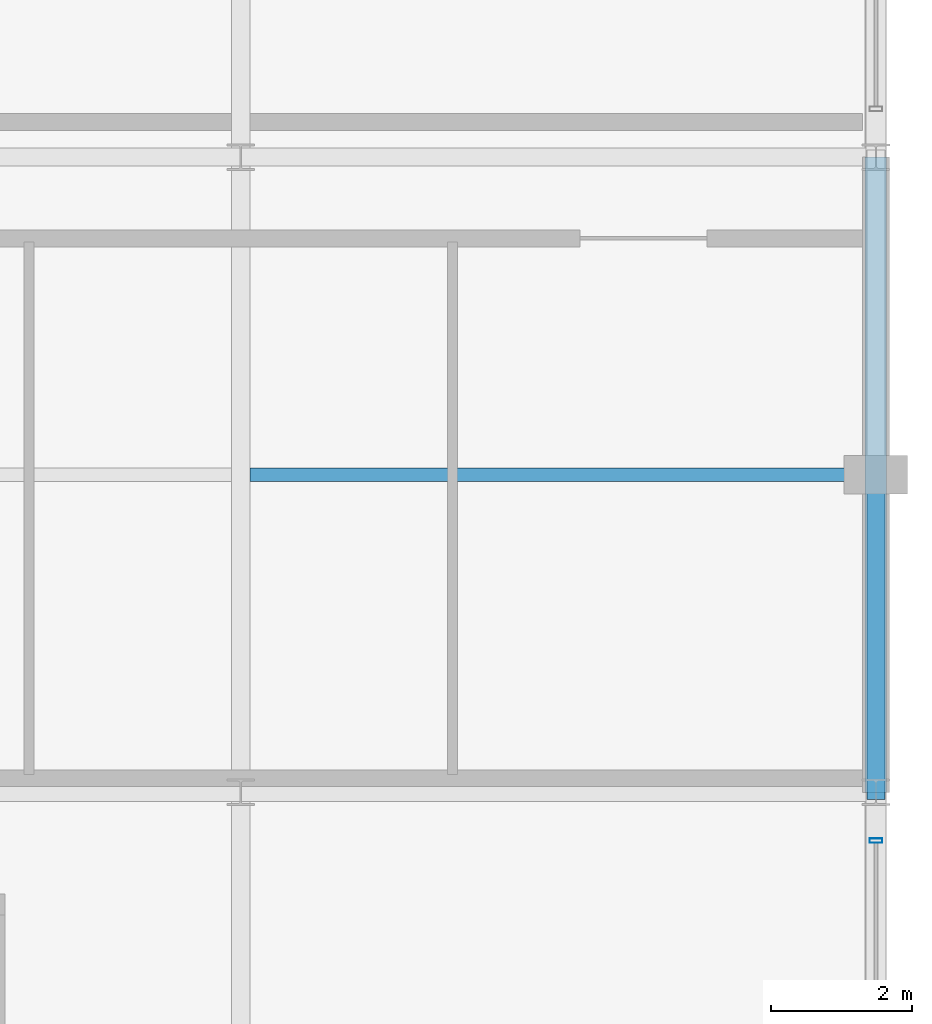
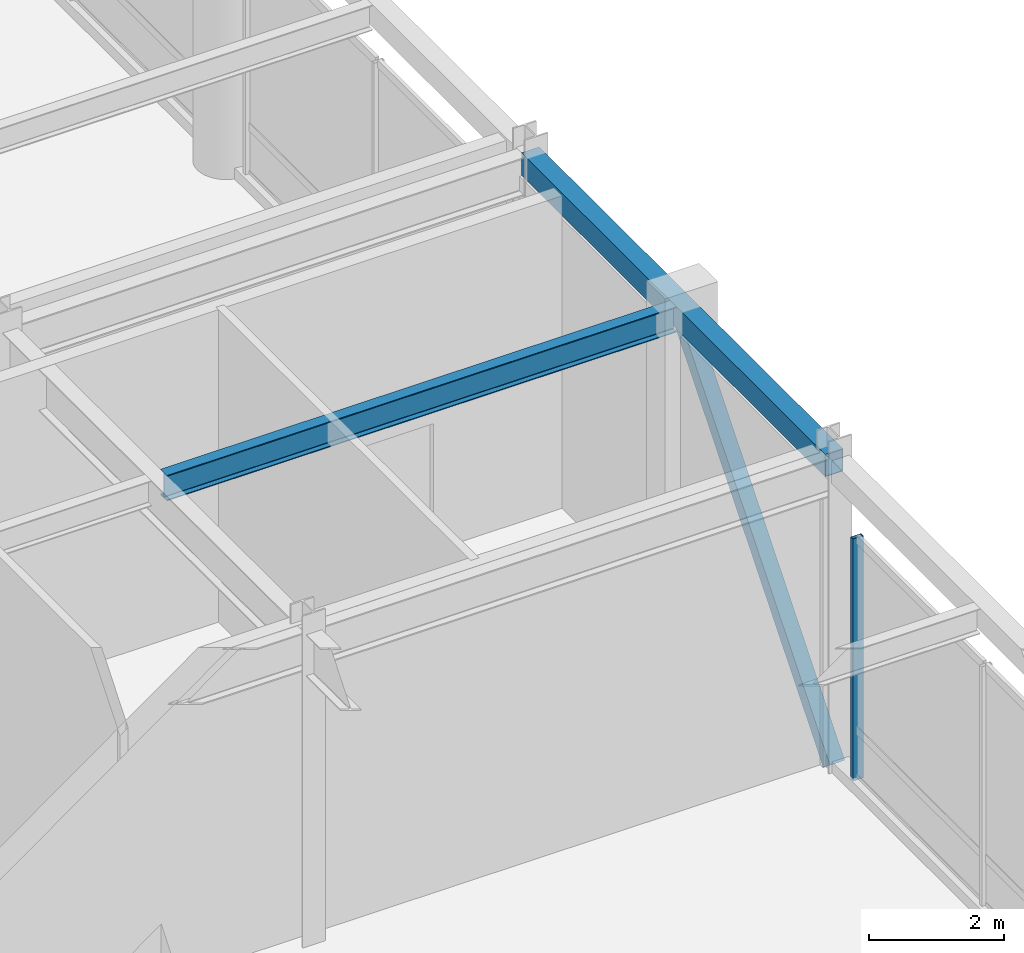
# One storey, part 54 of 108: 2 beams, 2 members, 1 element without a shape of its own.
"""IFC4 building model written with IfcOpenShell, lengths in metres."""

from ifc_helpers import new_model, si_unit, direction, frame, origin, origin_2d, place, context, subcontext, project, spatial, hollow_rectangle, i_section, extrude, material, material_profile, profile_set, type_object, element, aggregate, save


model = new_model("IFC4")

# Units and contexts
model_context = context("Model", 3, precision=1e-05, world=origin(), true_north=direction((0.0, 1.0)))
body_context = subcontext(model_context, "Body", "Model", "MODEL_VIEW")
ifc_project = project(units=[si_unit("LENGTHUNIT", "METRE"), si_unit("AREAUNIT", "SQUARE_METRE"), si_unit("VOLUMEUNIT", "CUBIC_METRE"), si_unit("PLANEANGLEUNIT", "RADIAN"), si_unit("MASSUNIT", "GRAM", prefix="KILO")], contexts=[model_context])

# Site, building, storey
site_placement = place(None, origin())
site = spatial("IfcSite", under=ifc_project, at=site_placement, CompositionType="ELEMENT")
building_placement = place(site_placement, origin())
building = spatial("IfcBuilding", under=site, at=building_placement, Name="Kaldorvane Square Convention Centre", CompositionType="ELEMENT")
storey_placement = place(building_placement, frame((0.0, 0.0, 12.0)))
storey = spatial("IfcBuildingStorey", under=building, at=storey_placement, Name="L02", CompositionType="ELEMENT", Elevation=12.0)

# Beams
ifc_material_1 = material(Name="Steel ASTM A992 Gr. 50", Category="steel")
ifc_material_profile_1 = material_profile(ifc_material_1, i_section(OverallWidth=0.1912994384765625, OverallDepth=0.4600067138671875, WebThickness=0.0099029541015625, FlangeThickness=0.0160064697265625, FilletRadius=0.01019287109375, at=origin_2d()), Name="W18X55")
ifc_profile_set_1 = profile_set([ifc_material_profile_1], Name="Steel ASTM A992 Gr. 50")
beam_type_1 = type_object("IfcBeamType", Name="BM-JS-W18X55", PredefinedType="JOIST", material=ifc_profile_set_1)
beam_1_placement = place(storey_placement, frame((165.13330078125, 13.5, 5.4160003662109375), z_axis=(1.0, 0.0, 0.0), x_axis=(0.0, 1.0, 0.0)))
element("IfcBeam", 1, at=beam_1_placement, inside=storey, type_object=beam_type_1, Name="Secondary Floor Joist (L02)", PredefinedType="JOIST", context=body_context, shape_type="SweptSolid", body=[
    extrude(i_section(OverallWidth=0.1912994384765625, OverallDepth=0.4600067138671875, WebThickness=0.0099029541015625, FlangeThickness=0.0160064697265625, FilletRadius=0.01019287109375, at=origin_2d()), origin(), (0.0, 0.0, 1.0), 8.71429443359375),
])
ifc_material_2 = material(Name="Steel ASTM A500 Gr. C", Category="steel")
ifc_material_profile_2 = material_profile(ifc_material_2, hollow_rectangle(XDim=0.3047943115234375, YDim=0.406402587890625, WallThickness=0.0117950439453125, at=origin_2d()), Name="HSS16X12X1/2")
ifc_profile_set_2 = profile_set([ifc_material_profile_2], Name="Steel ASTM A500 Gr. C")
beam_type_2 = type_object("IfcBeamType", Name="BM-SP-HSS16", PredefinedType="SPANDREL", material=ifc_profile_set_2)
beam_2_placement = place(storey_placement, frame((174.0, 9.0, 5.4427947998046875), z_axis=(0.0, 1.0, 0.0), x_axis=(-1.0, 0.0, 0.0)))
element("IfcBeam", 2, at=beam_2_placement, inside=storey, type_object=beam_type_2, Name="End Spandrel (L02)", PredefinedType="SPANDREL", context=body_context, shape_type="SweptSolid", body=[
    extrude(hollow_rectangle(XDim=0.3047943115234375, YDim=0.406402587890625, WallThickness=0.0117950439453125, at=origin_2d()), origin(), (0.0, 0.0, 1.0), 9.0),
])

# Curtain wall, member
ifc_material_3 = material(Name="Anodized Aluminum and Low-E Insulated Glazing", Category="aluminium")
curtain_wall_type = type_object("IfcCurtainWallType", Name="CW-UNI-P60-09", PredefinedType="USERDEFINED", material=ifc_material_3)
curtain_wall_placement = place(storey_placement, origin())
curtain_wall = element("IfcCurtainWall", 3, at=curtain_wall_placement, inside=storey, type_object=curtain_wall_type, Name="Curtain Wall CW-02 (L02)", ObjectType="UNITISED GLAZING", PredefinedType="USERDEFINED")
ifc_material_profile_3 = material_profile(ifc_material_3, hollow_rectangle(XDim=0.06500244140625, YDim=0.17999267578125, WallThickness=0.0034942626953125, at=origin_2d()), Name="CWM-180X65")
ifc_profile_set_3 = profile_set([ifc_material_profile_3], Name="Anodized Aluminum and Low-E Insulated Glazing")
member_type_1 = type_object("IfcMemberType", Name="CW-MUL-180", PredefinedType="MULLION", material=ifc_profile_set_3)
member_1_placement = place(storey_placement, frame((174.0, 8.3175048828125, 0.149993896484375), z_axis=(0.0, 0.0, 1.0), x_axis=(0.0, 1.0, 0.0)))
member_1 = element("IfcMember", 4, at=member_1_placement, type_object=member_type_1, Name="CW-02 mullion 3", PredefinedType="MULLION", context=body_context, shape_type="SweptSolid", body=[
    extrude(hollow_rectangle(XDim=0.06500244140625, YDim=0.17999267578125, WallThickness=0.0034942626953125, at=origin_2d()), origin(), (0.0, 0.0, 1.0), 4.3800048828125),
])
aggregate(curtain_wall, [member_1])

# Member
ifc_material_profile_4 = material_profile(ifc_material_2, hollow_rectangle(XDim=0.253997802734375, YDim=0.253997802734375, WallThickness=0.0117950439453125, at=origin_2d()), Name="HSS10X10X1/2")
ifc_profile_set_4 = profile_set([ifc_material_profile_4], Name="Steel ASTM A500 Gr. C")
member_type_2 = type_object("IfcMemberType", Name="MB-BR-HSS10", PredefinedType="BRACE", material=ifc_profile_set_4)
member_2_placement = place(storey_placement, frame((174.0, 9.0, 0.0), z_axis=(0.0, 0.637199383553, 0.770698998053), x_axis=(-1.0, 0.0, 0.0)))
element("IfcMember", 5, at=member_2_placement, inside=storey, type_object=member_type_2, Name="Seismic Chevron Brace X174-B1A (L02)", PredefinedType="BRACE", context=body_context, shape_type="SweptSolid", body=[
    extrude(hollow_rectangle(XDim=0.253997802734375, YDim=0.253997802734375, WallThickness=0.0117950439453125, at=origin_2d()), origin(), (0.0, 0.0, 1.0), 7.0621490478515625),
])

save(model, "model.ifc")
